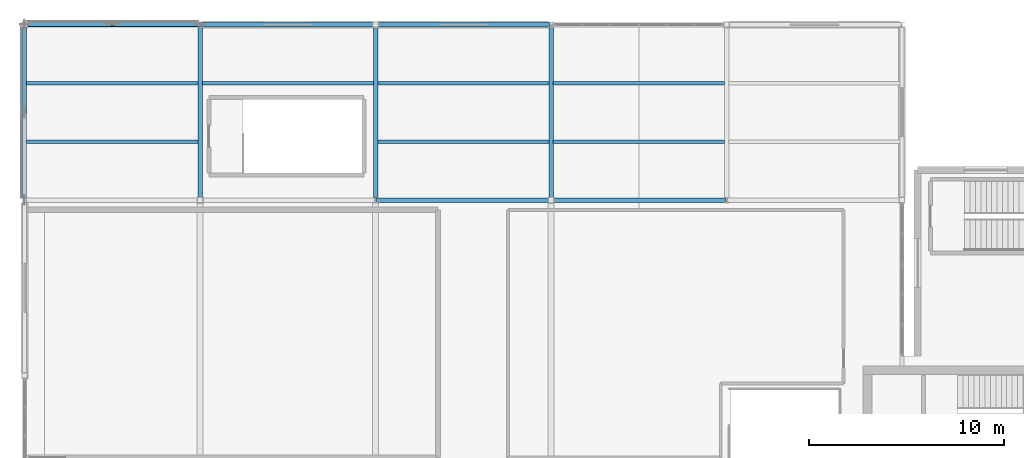
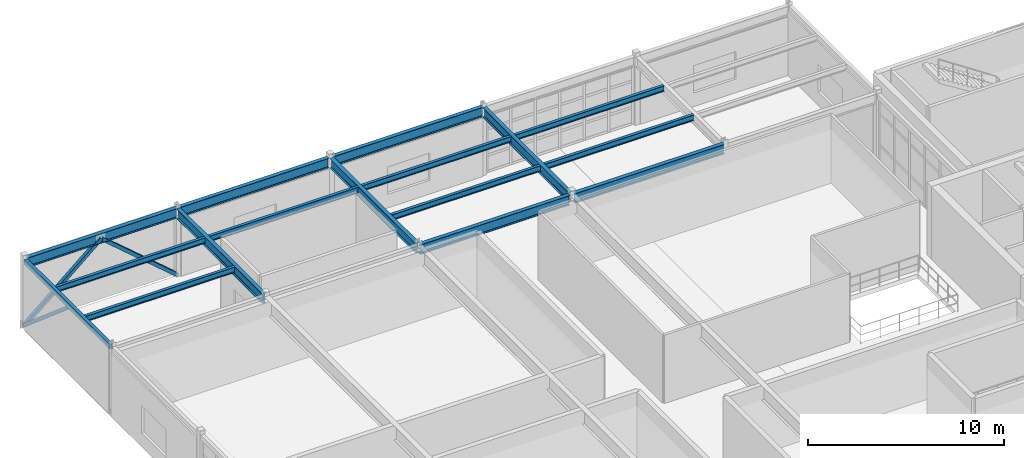
# One storey, part 32 of 81: 16 beams, 3 members.
"""IFC4 building model written with IfcOpenShell, lengths in metres."""

from ifc_helpers import new_model, si_unit, direction, frame, origin, origin_2d, place, context, subcontext, project, spatial, hollow_rectangle, i_section, extrude, material, material_profile, profile_set, type_object, element, save


model = new_model("IFC4")

# Units and contexts
model_context = context("Model", 3, precision=1e-05, world=origin(), true_north=direction((0.0, 1.0)))
body_context = subcontext(model_context, "Body", "Model", "MODEL_VIEW")
ifc_project = project(units=[si_unit("LENGTHUNIT", "METRE"), si_unit("AREAUNIT", "SQUARE_METRE"), si_unit("VOLUMEUNIT", "CUBIC_METRE"), si_unit("PLANEANGLEUNIT", "RADIAN"), si_unit("MASSUNIT", "GRAM", prefix="KILO")], contexts=[model_context])

# Site, building, storey
site_placement = place(None, origin())
site = spatial("IfcSite", under=ifc_project, at=site_placement, CompositionType="ELEMENT")
building_placement = place(site_placement, origin())
building = spatial("IfcBuilding", under=site, at=building_placement, Name="Glasvene Arena", CompositionType="ELEMENT")
storey_placement = place(building_placement, frame((0.0, 0.0, 15.0)))
storey = spatial("IfcBuildingStorey", under=building, at=storey_placement, Name="L03", CompositionType="ELEMENT", Elevation=15.0)

# Beams
ifc_material = material(Name="Steel S355J2", Category="steel")
ifc_material_profile_1 = material_profile(ifc_material, i_section(OverallWidth=0.228271484375, OverallDepth=0.607666015625, WebThickness=0.010986328125, FlangeThickness=0.017333984375, FilletRadius=0.0126953125, at=origin_2d()), Name="UKB 610x229x113")
ifc_profile_set_1 = profile_set([ifc_material_profile_1], Name="Steel S355J2")
beam_type_1 = type_object("IfcBeamType", Name="BM-GIRD-610", PredefinedType="BEAM", material=ifc_profile_set_1)
for number, where, z_axis, x_axis, name in (
    (1, (18.050048828125, 109.0, 3.9462890625), (1.0, 0.0, 0.0), (0.0, 1.0, 0.0), "Primary X girder L03-0954"),
    (2, (27.14501953125, 109.0, 3.9462890625), (1.0, 0.0, 0.0), (0.0, 1.0, 0.0), "Primary X girder L03-0955"),
    (3, (0.14501953125, 118.0, 3.9462890625), (1.0, 0.0, 0.0), (0.0, 1.0, 0.0), "Primary X girder L03-0957"),
    (4, (9.050048828125, 118.0, 3.9462890625), (1.0, 0.0, 0.0), (0.0, 1.0, 0.0), "Primary X girder L03-0958"),
    (5, (18.14501953125, 118.0, 3.9462890625), (1.0, 0.0, 0.0), (0.0, 1.0, 0.0), "Primary X girder L03-0959"),
):
    element("IfcBeam", number, at=place(storey_placement, frame(where, z_axis=z_axis, x_axis=x_axis)), inside=storey, type_object=beam_type_1, Name=name, PredefinedType="BEAM", context=body_context, shape_type="SweptSolid", body=[
        extrude(i_section(OverallWidth=0.228271484375, OverallDepth=0.607666015625, WebThickness=0.010986328125, FlangeThickness=0.017333984375, FilletRadius=0.0126953125, at=origin_2d()), origin(), (0.0, 0.0, 1.0), 8.804931640625),
    ])
for number, where, z_axis, x_axis, name in (
    (6, (9.0, 109.14501953125, 3.9462890625), (0.0, 1.0, 0.0), (-1.0, 0.0, 0.0), "Primary Y girder L03-0972"),
    (7, (18.0, 109.125244140625, 3.9462890625), (0.0, 1.0, 0.0), (-1.0, 0.0, 0.0), "Primary Y girder L03-0976"),
    (8, (27.0, 109.14501953125, 3.9462890625), (0.0, 1.0, 0.0), (-1.0, 0.0, 0.0), "Primary Y girder L03-0981"),
):
    element("IfcBeam", number, at=place(storey_placement, frame(where, z_axis=z_axis, x_axis=x_axis)), inside=storey, type_object=beam_type_1, Name=name, PredefinedType="BEAM", context=body_context, shape_type="SweptSolid", body=[
        extrude(i_section(OverallWidth=0.228271484375, OverallDepth=0.607666015625, WebThickness=0.010986328125, FlangeThickness=0.017333984375, FilletRadius=0.0126953125, at=origin_2d()), origin(), (0.0, 0.0, 1.0), 8.729736328125),
    ])
ifc_material_profile_2 = material_profile(ifc_material, i_section(OverallWidth=0.17138671875, OverallDepth=0.35498046875, WebThickness=0.00732421875, FlangeThickness=0.011474609375, FilletRadius=0.01025390625, at=origin_2d()), Name="UKB 356x171x51")
ifc_profile_set_2 = profile_set([ifc_material_profile_2], Name="Steel S355J2")
beam_type_2 = type_object("IfcBeamType", Name="BM-JOIST-356", PredefinedType="JOIST", material=ifc_profile_set_2)
for number, where, z_axis, x_axis, name in (
    (9, (0.095947265625, 112.0, 4.072509765625), (1.0, 0.0, 0.0), (0.0, 1.0, 0.0), "Composite floor joist L03-0991"),
    (10, (0.095947265625, 115.0, 4.072509765625), (1.0, 0.0, 0.0), (0.0, 1.0, 0.0), "Composite floor joist L03-0992"),
):
    element("IfcBeam", number, at=place(storey_placement, frame(where, z_axis=z_axis, x_axis=x_axis)), inside=storey, type_object=beam_type_2, Name=name, PredefinedType="JOIST", context=body_context, shape_type="SweptSolid", body=[
        extrude(i_section(OverallWidth=0.17138671875, OverallDepth=0.35498046875, WebThickness=0.00732421875, FlangeThickness=0.011474609375, FilletRadius=0.01025390625, at=origin_2d()), origin(), (0.0, 0.0, 1.0), 8.7939453125),
    ])
for number, where, z_axis, x_axis, name in (
    (11, (9.110107421875, 115.0, 4.072509765625), (1.0, 0.0, 0.0), (0.0, 1.0, 0.0), "Composite floor joist L03-0996"),
    (12, (18.110107421875, 112.0, 4.072509765625), (1.0, 0.0, 0.0), (0.0, 1.0, 0.0), "Composite floor joist L03-0999"),
    (13, (18.110107421875, 115.0, 4.072509765625), (1.0, 0.0, 0.0), (0.0, 1.0, 0.0), "Composite floor joist L03-1000"),
    (14, (27.110107421875, 112.0, 4.072509765625), (1.0, 0.0, 0.0), (0.0, 1.0, 0.0), "Composite floor joist L03-1003"),
    (15, (27.110107421875, 115.0, 4.072509765625), (1.0, 0.0, 0.0), (0.0, 1.0, 0.0), "Composite floor joist L03-1004"),
):
    element("IfcBeam", number, at=place(storey_placement, frame(where, z_axis=z_axis, x_axis=x_axis)), inside=storey, type_object=beam_type_2, Name=name, PredefinedType="JOIST", context=body_context, shape_type="SweptSolid", body=[
        extrude(i_section(OverallWidth=0.17138671875, OverallDepth=0.35498046875, WebThickness=0.00732421875, FlangeThickness=0.011474609375, FilletRadius=0.01025390625, at=origin_2d()), origin(), (0.0, 0.0, 1.0), 8.77978515625),
    ])
ifc_material_profile_3 = material_profile(ifc_material, hollow_rectangle(XDim=0.199951171875, YDim=0.300048828125, WallThickness=0.012451171875, at=origin_2d()), Name="RHS 300x200x12.5")
ifc_profile_set_3 = profile_set([ifc_material_profile_3], Name="Steel S355J2")
beam_type_3 = type_object("IfcBeamType", Name="BM-SPAND-300", PredefinedType="SPANDREL", material=ifc_profile_set_3)
beam_placement = place(storey_placement, frame((0.0, 109.125244140625, 4.10009765625), z_axis=(0.0, 1.0, 0.0), x_axis=(-1.0, 0.0, 0.0)))
element("IfcBeam", 16, at=beam_placement, inside=storey, type_object=beam_type_3, Name="Primary Y girder L03-0968", PredefinedType="SPANDREL", context=body_context, shape_type="SweptSolid", body=[
    extrude(hollow_rectangle(XDim=0.199951171875, YDim=0.300048828125, WallThickness=0.012451171875, at=origin_2d()), origin(), (0.0, 0.0, 1.0), 8.729736328125),
])

# Members
ifc_material_profile_4 = material_profile(ifc_material, hollow_rectangle(XDim=0.199951171875, YDim=0.199951171875, WallThickness=0.010009765625, at=origin_2d()), Name="SHS 200x200x10.0")
ifc_profile_set_4 = profile_set([ifc_material_profile_4], Name="Steel S355J2")
member_type = type_object("IfcMemberType", Name="MB-BRACE-SHS200", PredefinedType="BRACE", material=ifc_profile_set_4)
for number, where, z_axis, x_axis, name in (
    (17, (0.0, 118.0, 0.050048828125), (0.0, -0.759864465021, 0.650081529347), (1.0, 0.0, 0.0), "Perimeter lateral chevron brace L03-024-B"),
    (18, (0.0, 118.0, 0.050048828125), (0.759864465021, 0.0, 0.650081529347), (0.0, 1.0, 0.0), "Perimeter lateral chevron brace L03-031-A"),
    (19, (9.0, 118.0, 0.050048828125), (-0.759864465021, 0.0, 0.650081529347), (0.0, -1.0, 0.0), "Perimeter lateral chevron brace L03-032-B"),
):
    element("IfcMember", number, at=place(storey_placement, frame(where, z_axis=z_axis, x_axis=x_axis)), inside=storey, type_object=member_type, Name=name, PredefinedType="BRACE", context=body_context, shape_type="SweptSolid", body=[
        extrude(hollow_rectangle(XDim=0.199951171875, YDim=0.199951171875, WallThickness=0.010009765625, at=origin_2d()), origin(), (0.0, 0.0, 1.0), 5.922119140625),
    ])

save(model, "model.ifc")
